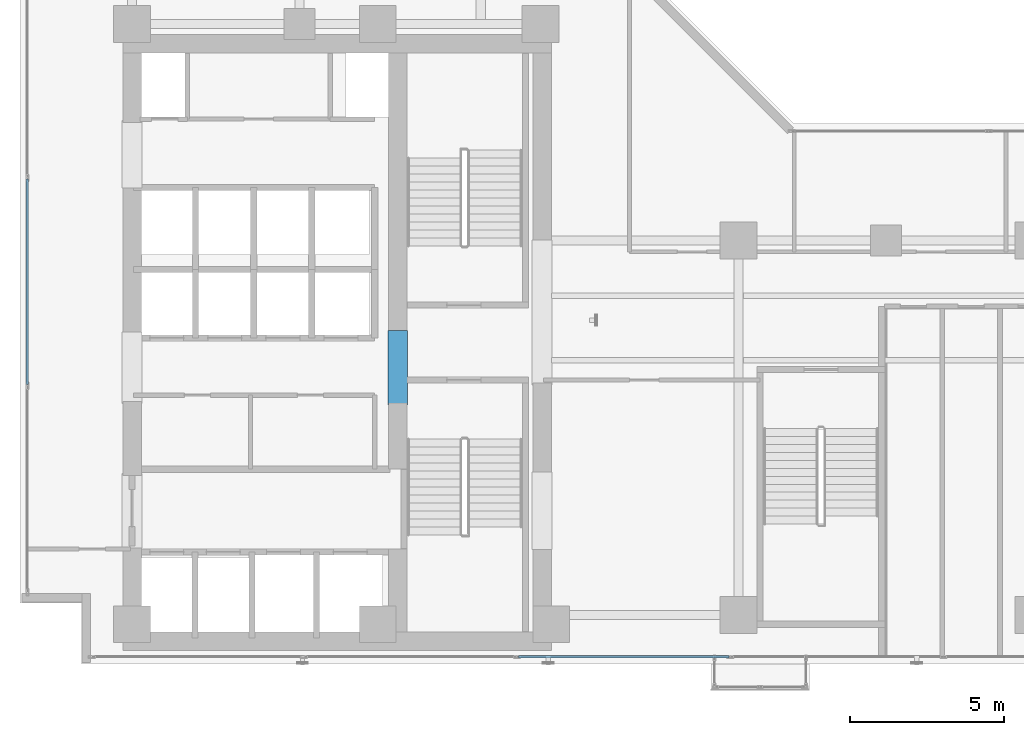
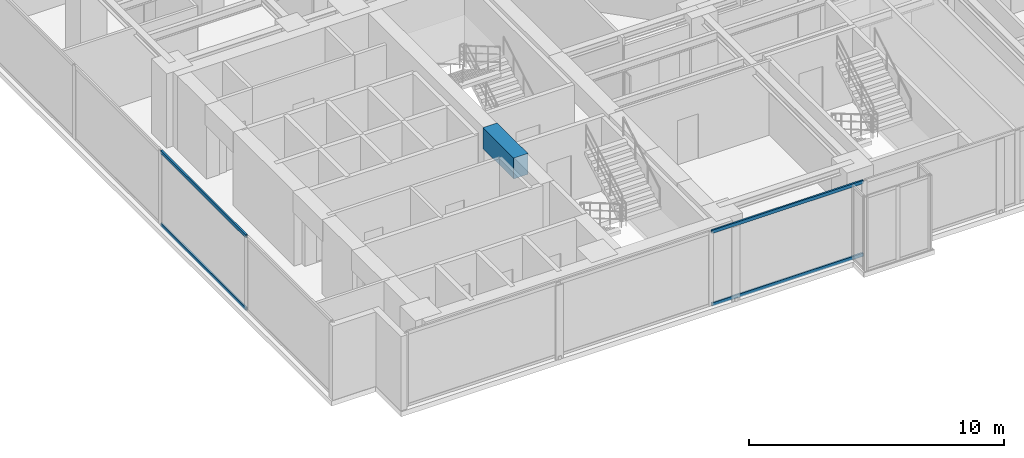
# One storey, part 3 of 24: 4 members, 1 beam, 2 elements without a shape of their own.
"""IFC4 building model written with IfcOpenShell, lengths in metres."""

from ifc_helpers import new_model, si_unit, direction, frame, origin, origin_with_axes, origin_2d, place, context, subcontext, project, spatial, rectangle, hollow_rectangle, extrude, source, transform, mapped, material, layer, layer_set, material_profile, profile_set, type_object, element, aggregate, save


model = new_model("IFC4")

# Units and contexts
model_context = context("Model", 3, precision=1e-05, world=origin(), true_north=direction((0.0, 1.0)))
body_context = subcontext(model_context, "Body", "Model", "MODEL_VIEW")
ifc_project = project(units=[si_unit("LENGTHUNIT", "METRE"), si_unit("AREAUNIT", "SQUARE_METRE"), si_unit("VOLUMEUNIT", "CUBIC_METRE"), si_unit("PLANEANGLEUNIT", "RADIAN"), si_unit("MASSUNIT", "GRAM", prefix="KILO")], contexts=[model_context])

# Site, building, storey
site_placement = place(None, origin())
site = spatial("IfcSite", under=ifc_project, at=site_placement, CompositionType="ELEMENT")
building_placement = place(site_placement, origin())
building = spatial("IfcBuilding", under=site, at=building_placement, Name="Kolvaren Waterfront Exchange", CompositionType="ELEMENT")
storey_placement = place(building_placement, frame((0.0, 0.0, 184.199951171875)))
storey = spatial("IfcBuildingStorey", under=building, at=storey_placement, Name="L47", CompositionType="ELEMENT", Elevation=184.199951171875)

# Beam
ifc_material_1 = material(Name="Concrete C60/75", Category="concrete")
ifc_material_profile_1 = material_profile(ifc_material_1, rectangle(XDim=0.64990234375, YDim=1.0, at=origin_2d()), Name="RC-CB-1000x650")
ifc_profile_set_1 = profile_set([ifc_material_profile_1], Name="Concrete C60/75")
beam_type = type_object("IfcBeamType", Name="STR-CB-1000", PredefinedType="SPANDREL", material=ifc_profile_set_1)
beam_placement = place(storey_placement, frame((16.10009765625, 12.0400390625, 3.06005859375), z_axis=(0.0, 1.0, 0.0), x_axis=(-1.0, 0.0, 0.0)))
element("IfcBeam", 1, at=beam_placement, inside=storey, type_object=beam_type, Name="L47 core coupling beam 6", PredefinedType="SPANDREL", context=body_context, shape_type="SweptSolid", body=[
    extrude(rectangle(XDim=0.64990234375, YDim=1.0, at=origin_2d()), origin(), (0.0, 0.0, 1.0), 2.419921875),
])

# Curtain wall, members
ifc_material_2 = material(Name="Anodised bronze aluminium 6063-T6", Category="aluminium")
ifc_layer_1 = layer(ifc_material_2, 0.219970703125, Name="Anodised bronze aluminium 6063-T6")
ifc_layer_set_1 = layer_set([ifc_layer_1], Name="Anodised bronze aluminium 6063-T6")
curtain_wall_type_1 = type_object("IfcCurtainWallType", Name="ARC-CW-SYS1", PredefinedType="USERDEFINED", material=ifc_layer_set_1)
curtain_wall_1_placement = place(storey_placement, origin())
curtain_wall_1 = element("IfcCurtainWall", 2, at=curtain_wall_1_placement, inside=storey, type_object=curtain_wall_type_1, Name="L47 stick curtain wall CW1 (CW-L47-S)", ObjectType="STICK CURTAIN WALL", PredefinedType="USERDEFINED")
ifc_material_3 = material(Name="Anodised aluminium 6063-T6", Category="aluminium")
ifc_material_profile_2 = material_profile(ifc_material_3, hollow_rectangle(XDim=0.074951171875, YDim=0.159912109375, WallThickness=0.00439453125, at=origin_2d()), Name="ALU-TRN-160x75x4.5")
ifc_profile_set_2 = profile_set([ifc_material_profile_2], Name="Anodised aluminium 6063-T6")
member_type = type_object("IfcMemberType", Name="ARC-CWT-160", PredefinedType="USERDEFINED", material=ifc_profile_set_2)
shared_shape_1 = source(origin_with_axes(), body_context, "Body", "SweptSolid", [
    extrude(hollow_rectangle(XDim=0.074951171875, YDim=0.159912109375, WallThickness=0.00439453125, at=origin_2d()), origin(), (0.0, 0.0, 1.0), 6.863037109375),
])
member_1_placement = place(storey_placement, frame((20.025634765625, 3.840087890625, 0.03759765625), z_axis=(1.0, 0.0, 0.0), x_axis=(0.0, 1.0, 0.0)))
member_1 = element("IfcMember", 3, at=member_1_placement, type_object=member_type, Name="CW1 transom 3.1", ObjectType="TRANSOM", PredefinedType="USERDEFINED", context=body_context, shape_type="MappedRepresentation", body=[
    mapped(shared_shape_1, transform((0.0, 0.0, 0.0), x_axis=(1.0, 0.0, 0.0), y_axis=(0.0, 1.0, 0.0), z_axis=(0.0, 0.0, 1.0), scale=1.0)),
])
member_2_placement = place(storey_placement, frame((20.025634765625, 3.840087890625, 3.5224609375), z_axis=(1.0, 0.0, 0.0), x_axis=(0.0, 1.0, 0.0)))
member_2 = element("IfcMember", 4, at=member_2_placement, type_object=member_type, Name="CW1 transom 3.2", ObjectType="TRANSOM", PredefinedType="USERDEFINED", context=body_context, shape_type="MappedRepresentation", body=[
    mapped(shared_shape_1, transform((0.0, 0.0, 0.0), x_axis=(1.0, 0.0, 0.0), y_axis=(0.0, 1.0, 0.0), z_axis=(0.0, 0.0, 1.0), scale=1.0)),
])
aggregate(curtain_wall_1, [member_1, member_2])

ifc_layer_2 = layer(ifc_material_3, 0.219970703125, Name="Anodised aluminium 6063-T6")
ifc_layer_set_2 = layer_set([ifc_layer_2], Name="Anodised aluminium 6063-T6")
curtain_wall_type_2 = type_object("IfcCurtainWallType", Name="ARC-CW-SYS2", PredefinedType="USERDEFINED", material=ifc_layer_set_2)
curtain_wall_2_placement = place(storey_placement, origin())
curtain_wall_2 = element("IfcCurtainWall", 5, at=curtain_wall_2_placement, inside=storey, type_object=curtain_wall_type_2, Name="L47 stick curtain wall CW2 (CW-L47-W)", ObjectType="STICK CURTAIN WALL", PredefinedType="USERDEFINED")
shared_shape_2 = source(origin_with_axes(), body_context, "Body", "SweptSolid", [
    extrude(hollow_rectangle(XDim=0.074951171875, YDim=0.159912109375, WallThickness=0.00439453125, at=origin_2d()), origin(), (0.0, 0.0, 1.0), 6.6865234375),
])
member_3_placement = place(storey_placement, frame((4.0400390625, 12.706787109375, 0.03759765625), z_axis=(0.0, 1.0, 0.0), x_axis=(-1.0, 0.0, 0.0)))
member_3 = element("IfcMember", 6, at=member_3_placement, type_object=member_type, Name="CW2 transom 2.1", ObjectType="TRANSOM", PredefinedType="USERDEFINED", context=body_context, shape_type="MappedRepresentation", body=[
    mapped(shared_shape_2, transform((0.0, 0.0, 0.0), x_axis=(1.0, 0.0, 0.0), y_axis=(0.0, 1.0, 0.0), z_axis=(0.0, 0.0, 1.0), scale=1.0)),
])
member_4_placement = place(storey_placement, frame((4.0400390625, 12.706787109375, 3.5224609375), z_axis=(0.0, 1.0, 0.0), x_axis=(-1.0, 0.0, 0.0)))
member_4 = element("IfcMember", 7, at=member_4_placement, type_object=member_type, Name="CW2 transom 2.2", ObjectType="TRANSOM", PredefinedType="USERDEFINED", context=body_context, shape_type="MappedRepresentation", body=[
    mapped(shared_shape_2, transform((0.0, 0.0, 0.0), x_axis=(1.0, 0.0, 0.0), y_axis=(0.0, 1.0, 0.0), z_axis=(0.0, 0.0, 1.0), scale=1.0)),
])
aggregate(curtain_wall_2, [member_3, member_4])

save(model, "model.ifc")
